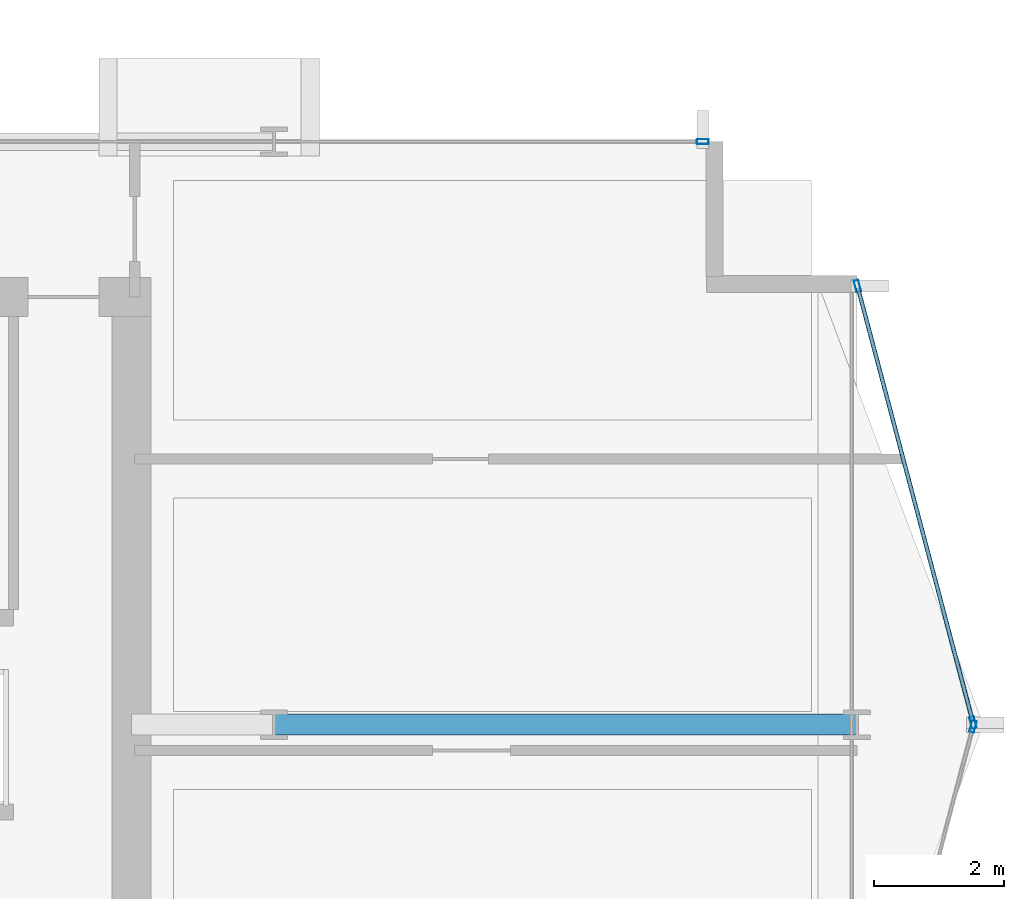
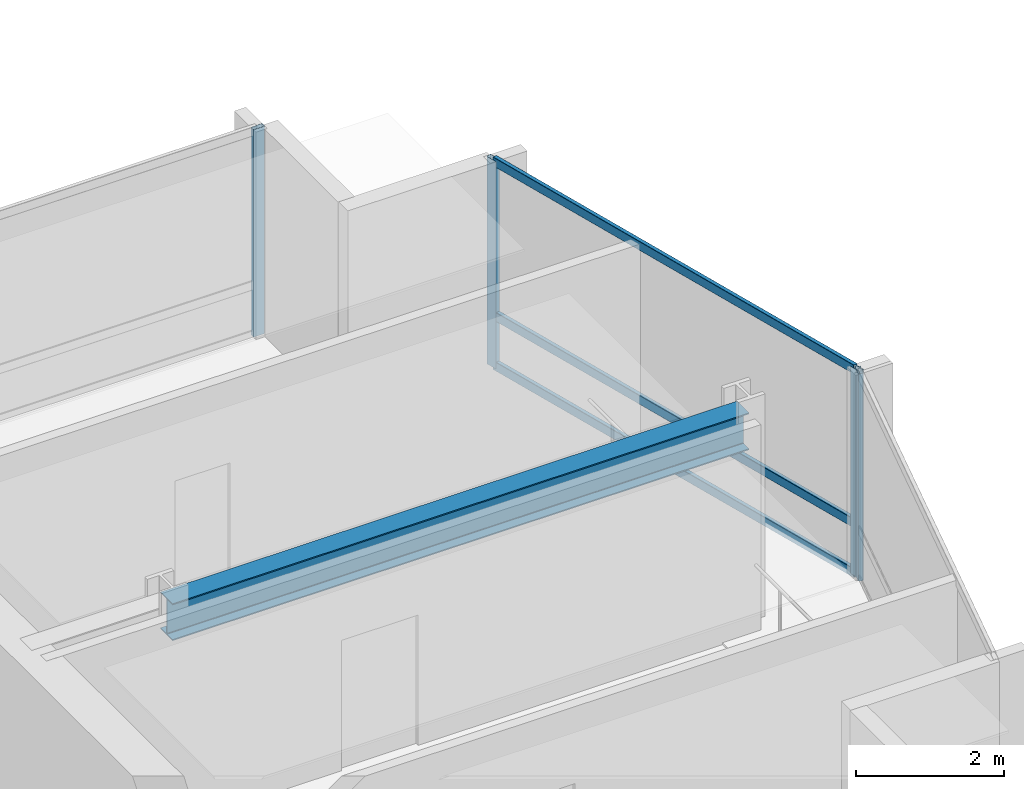
# One storey, part 14 of 29: 7 members, 1 beam, 3 elements without a shape of their own.
"""IFC4 building model written with IfcOpenShell, lengths in metres."""

from ifc_helpers import new_model, si_unit, direction, frame, origin, origin_2d, place, context, subcontext, project, spatial, hollow_rectangle, i_section, extrude, material, layer, layer_set, material_profile, profile_set, type_object, element, aggregate, save


model = new_model("IFC4")

# Units and contexts
model_context = context("Model", 3, precision=1e-05, world=origin(), true_north=direction((0.0, 1.0)))
body_context = subcontext(model_context, "Body", "Model", "MODEL_VIEW")
ifc_project = project(units=[si_unit("LENGTHUNIT", "METRE"), si_unit("AREAUNIT", "SQUARE_METRE"), si_unit("VOLUMEUNIT", "CUBIC_METRE"), si_unit("PLANEANGLEUNIT", "RADIAN"), si_unit("MASSUNIT", "GRAM", prefix="KILO")], contexts=[model_context])

# Site, building, storey
site_placement = place(None, origin())
site = spatial("IfcSite", under=ifc_project, at=site_placement, CompositionType="ELEMENT")
building_placement = place(site_placement, origin())
building = spatial("IfcBuilding", under=site, at=building_placement, Name="Solvaryn Broadcast Tower", CompositionType="ELEMENT")
storey_placement = place(building_placement, frame((0.0, 0.0, 124.800048828125)))
storey = spatial("IfcBuildingStorey", under=building, at=storey_placement, Name="L30", CompositionType="ELEMENT", Elevation=124.800048828125)

# Beam
ifc_material_1 = material(Name="Steel ASTM A992 Grade 50", Category="steel")
ifc_material_profile_1 = material_profile(ifc_material_1, i_section(OverallWidth=0.323974609375, OverallDepth=0.611083984375, WebThickness=0.0126953125, FlangeThickness=0.01904296875, FilletRadius=0.014892578125, at=origin_2d()))
ifc_profile_set_1 = profile_set([ifc_material_profile_1], Name="Steel ASTM A992 Grade 50")
beam_type = type_object("IfcBeamType", Name="BM-B1-W24X104", PredefinedType="BEAM", material=ifc_profile_set_1)
beam_placement = place(storey_placement, frame((45.0, 18.0, 3.114501953125), z_axis=(1.0, 0.0, 0.0), x_axis=(0.0, 1.0, 0.0)))
element("IfcBeam", 1, at=beam_placement, inside=storey, type_object=beam_type, Name="L30 Primary Beam X (45-54 @ Y=18)", PredefinedType="BEAM", context=body_context, shape_type="SweptSolid", body=[
    extrude(i_section(OverallWidth=0.323974609375, OverallDepth=0.611083984375, WebThickness=0.0126953125, FlangeThickness=0.01904296875, FilletRadius=0.014892578125, at=origin_2d()), origin(), (0.0, 0.0, 1.0), 9.0),
])

# Curtain wall, members
ifc_material_2 = material(Name="Aluminium and Terracotta Unitised Curtain Wall", Category="masonry")
ifc_layer = layer(ifc_material_2, 0.199951171875)
ifc_layer_set = layer_set([ifc_layer], Name="CW-SYS2-LOWMID")
curtain_wall_type = type_object("IfcCurtainWallType", Name="CW-SYS2-LOWMID", PredefinedType="NOTDEFINED", material=ifc_layer_set)
curtain_wall_1_placement = place(storey_placement, origin())
curtain_wall_1 = element("IfcCurtainWall", 2, at=curtain_wall_1_placement, inside=storey, type_object=curtain_wall_type, Name="L30 Curtain Wall ET1", PredefinedType="NOTDEFINED")
ifc_material_3 = material(Name="Anodised Aluminium 6063-T6", Category="aluminium")
ifc_material_profile_2 = material_profile(ifc_material_3, hollow_rectangle(XDim=0.074951171875, YDim=0.179931640625, WallThickness=0.00390625, InnerFilletRadius=0.00390625, OuterFilletRadius=0.008056640625, at=origin_2d()))
ifc_profile_set_2 = profile_set([ifc_material_profile_2], Name="Anodised Aluminium 6063-T6")
member_type_1 = type_object("IfcMemberType", Name="CW-MUL-180", PredefinedType="MULLION", material=ifc_profile_set_2)
member_1_placement = place(storey_placement, frame((54.007568359375, 24.77099609375, 0.0), z_axis=(0.0, 0.0, 1.0), x_axis=(0.966705227863, 0.25589256031, 0.0)))
member_1 = element("IfcMember", 3, at=member_1_placement, type_object=member_type_1, Name="CWS2 mullion 1", PredefinedType="MULLION", context=body_context, shape_type="SweptSolid", body=[
    extrude(hollow_rectangle(XDim=0.074951171875, YDim=0.179931640625, WallThickness=0.00390625, InnerFilletRadius=0.00390625, OuterFilletRadius=0.008056640625, at=origin_2d()), origin(), (0.0, 0.0, 1.0), 3.419921875),
])
member_2_placement = place(storey_placement, frame((55.792236328125, 18.029052734375, 0.0), z_axis=(0.0, 0.0, 1.0), x_axis=(0.966705227863, 0.25589256031, 0.0)))
member_2 = element("IfcMember", 4, at=member_2_placement, type_object=member_type_1, Name="CWS2 mullion 2", PredefinedType="MULLION", context=body_context, shape_type="SweptSolid", body=[
    extrude(hollow_rectangle(XDim=0.074951171875, YDim=0.179931640625, WallThickness=0.00390625, InnerFilletRadius=0.00390625, OuterFilletRadius=0.008056640625, at=origin_2d()), origin(), (0.0, 0.0, 1.0), 3.419921875),
])

# Curtain wall, member
curtain_wall_2_placement = place(storey_placement, origin())
curtain_wall_2 = element("IfcCurtainWall", 5, at=curtain_wall_2_placement, inside=storey, type_object=curtain_wall_type, Name="L30 Curtain Wall ET2", PredefinedType="NOTDEFINED")
member_3_placement = place(storey_placement, frame((55.792236328125, 17.970947265625, 0.0), z_axis=(0.0, 0.0, 1.0), x_axis=(0.966705227863, -0.25589256031, 0.0)))
member_3 = element("IfcMember", 6, at=member_3_placement, type_object=member_type_1, Name="CWS2 mullion 1", PredefinedType="MULLION", context=body_context, shape_type="SweptSolid", body=[
    extrude(hollow_rectangle(XDim=0.074951171875, YDim=0.179931640625, WallThickness=0.00390625, InnerFilletRadius=0.00390625, OuterFilletRadius=0.008056640625, at=origin_2d()), origin(), (0.0, 0.0, 1.0), 3.419921875),
])
aggregate(curtain_wall_2, [member_3])

curtain_wall_3_placement = place(storey_placement, origin())
curtain_wall_3 = element("IfcCurtainWall", 7, at=curtain_wall_3_placement, inside=storey, type_object=curtain_wall_type, Name="L30 Curtain Wall IH", PredefinedType="NOTDEFINED")
member_4_placement = place(storey_placement, frame((51.6201171875, 27.0, 0.0), z_axis=(0.0, 0.0, 1.0), x_axis=(0.0, 1.0, 0.0)))
member_4 = element("IfcMember", 8, at=member_4_placement, type_object=member_type_1, Name="CWS2 mullion 2", PredefinedType="MULLION", context=body_context, shape_type="SweptSolid", body=[
    extrude(hollow_rectangle(XDim=0.074951171875, YDim=0.179931640625, WallThickness=0.00390625, InnerFilletRadius=0.00390625, OuterFilletRadius=0.008056640625, at=origin_2d()), origin(), (0.0, 0.0, 1.0), 3.419921875),
])
aggregate(curtain_wall_3, [member_4])

# Member
ifc_material_4 = material(Name="Anodised Aluminium 6063-T6", Category="aluminium")
ifc_material_profile_3 = material_profile(ifc_material_4, hollow_rectangle(XDim=0.06494140625, YDim=0.14990234375, WallThickness=0.00390625, InnerFilletRadius=0.00390625, OuterFilletRadius=0.008056640625, at=origin_2d()))
ifc_profile_set_3 = profile_set([ifc_material_profile_3], Name="Anodised Aluminium 6063-T6")
member_type_2 = type_object("IfcMemberType", Name="CW-TRN-150", PredefinedType="USERDEFINED", material=ifc_profile_set_3)
member_5_placement = place(storey_placement, frame((54.015380859375, 24.741943359375, 0.030029296875), z_axis=(0.255897413051, -0.966703943301, 0.0), x_axis=(0.966703943301, 0.255897413051, 0.0)))
member_5 = element("IfcMember", 9, at=member_5_placement, type_object=member_type_2, Name="CWS2 transom 1.1", ObjectType="TRANSOM", PredefinedType="USERDEFINED", context=body_context, shape_type="SweptSolid", body=[
    extrude(hollow_rectangle(XDim=0.06494140625, YDim=0.14990234375, WallThickness=0.00390625, InnerFilletRadius=0.00390625, OuterFilletRadius=0.008056640625, at=origin_2d()), origin(), (0.0, 0.0, 1.0), 6.9140625),
])

member_6_placement = place(storey_placement, frame((54.015380859375, 24.741943359375, 0.849853515625), z_axis=(0.255897413051, -0.966703943301, 0.0), x_axis=(0.966703943301, 0.255897413051, 0.0)))
member_6 = element("IfcMember", 10, at=member_6_placement, type_object=member_type_2, Name="CWS2 transom 1.2", ObjectType="TRANSOM", PredefinedType="USERDEFINED", context=body_context, shape_type="SweptSolid", body=[
    extrude(hollow_rectangle(XDim=0.06494140625, YDim=0.14990234375, WallThickness=0.00390625, InnerFilletRadius=0.00390625, OuterFilletRadius=0.008056640625, at=origin_2d()), origin(), (0.0, 0.0, 1.0), 6.9140625),
])

member_7_placement = place(storey_placement, frame((54.015380859375, 24.741943359375, 3.389892578125), z_axis=(0.255897413051, -0.966703943301, 0.0), x_axis=(0.966703943301, 0.255897413051, 0.0)))
member_7 = element("IfcMember", 11, at=member_7_placement, type_object=member_type_2, Name="CWS2 transom 1.3", ObjectType="TRANSOM", PredefinedType="USERDEFINED", context=body_context, shape_type="SweptSolid", body=[
    extrude(hollow_rectangle(XDim=0.06494140625, YDim=0.14990234375, WallThickness=0.00390625, InnerFilletRadius=0.00390625, OuterFilletRadius=0.008056640625, at=origin_2d()), origin(), (0.0, 0.0, 1.0), 6.9140625),
])

aggregate(curtain_wall_1, [member_1, member_2, member_5, member_6, member_7])

save(model, "model.ifc")
